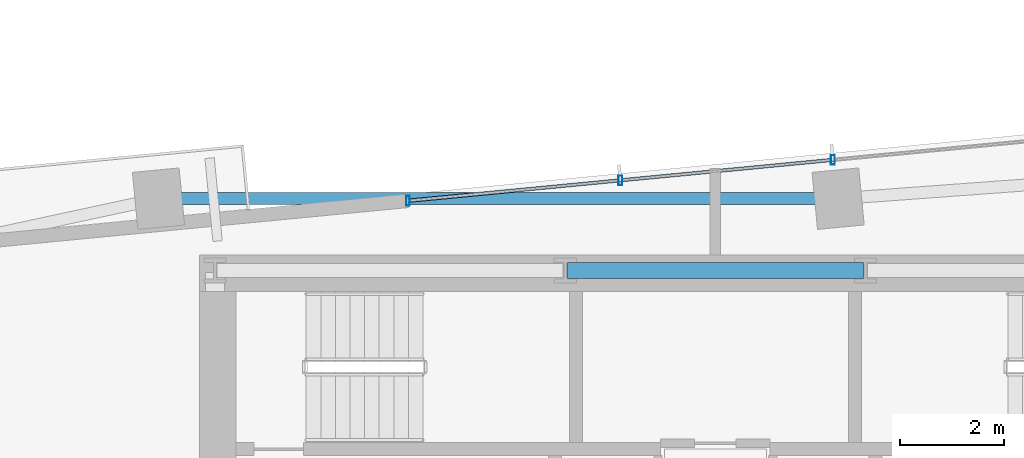
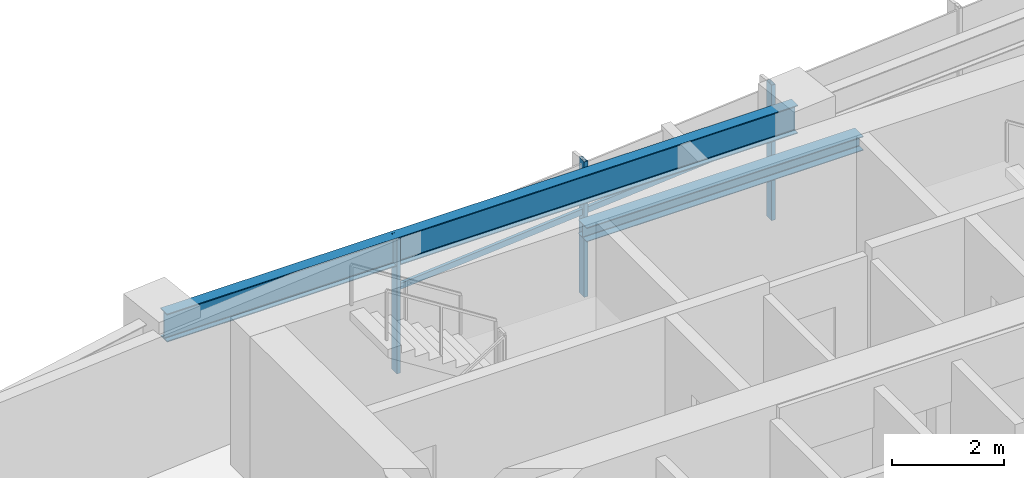
# One storey, part 10 of 27: 5 members, 2 beams, 1 element without a shape of its own.
"""IFC4 building model written with IfcOpenShell, lengths in metres."""

from ifc_helpers import new_model, si_unit, direction, frame, origin, origin_2d, place, context, subcontext, project, spatial, hollow_rectangle, i_section, extrude, source, transform, mapped, material, material_profile, profile_set, type_object, type_shapes, element, aggregate, save


model = new_model("IFC4")

# Units and contexts
model_context = context("Model", 3, precision=1e-05, world=origin(), true_north=direction((0.0, 1.0)))
body_context = subcontext(model_context, "Body", "Model", "MODEL_VIEW")
ifc_project = project(units=[si_unit("LENGTHUNIT", "METRE"), si_unit("AREAUNIT", "SQUARE_METRE"), si_unit("VOLUMEUNIT", "CUBIC_METRE"), si_unit("PLANEANGLEUNIT", "RADIAN"), si_unit("MASSUNIT", "GRAM", prefix="KILO")], contexts=[model_context])

# Site, building, storey
site_placement = place(None, origin())
site = spatial("IfcSite", under=ifc_project, at=site_placement, CompositionType="ELEMENT")
building_placement = place(site_placement, origin())
building = spatial("IfcBuilding", under=site, at=building_placement, Name="Astriad Promenade Condominiums", CompositionType="ELEMENT")
storey_placement = place(building_placement, frame((0.0, 0.0, 93.800048828125)))
storey = spatial("IfcBuildingStorey", under=building, at=storey_placement, Name="L26", CompositionType="ELEMENT", Elevation=93.800048828125)

# Beams
ifc_material_1 = material(Name="Steel ASTM A992 Grade 50", Category="steel")
ifc_material_profile_1 = material_profile(ifc_material_1, i_section(OverallWidth=0.3046875, OverallDepth=0.307861328125, WebThickness=0.010009765625, FlangeThickness=0.015380859375, FilletRadius=0.01513671875, at=origin_2d()), Name="W12X65")
ifc_profile_set_1 = profile_set([ifc_material_profile_1], Name="Steel ASTM A992 Grade 50")
beam_type_1 = type_object("IfcBeamType", Name="STEEL OPENING LINTEL W12X65", PredefinedType="LINTEL", material=ifc_profile_set_1)
shared_shape_1 = source(origin(), body_context, "Body", "SweptSolid", [
    extrude(i_section(OverallWidth=0.3046875, OverallDepth=0.307861328125, WebThickness=0.010009765625, FlangeThickness=0.015380859375, FilletRadius=0.01513671875, at=origin_2d()), origin(), (0.0, 0.0, 1.0), 5.68017578125),
])
type_shapes(beam_type_1, [shared_shape_1])
beam_1_placement = place(storey_placement, frame((33.159912109375, 24.0, 2.7861328125), z_axis=(1.0, 0.0, 0.0), x_axis=(0.0, 1.0, 0.0)))
element("IfcBeam", 1, at=beam_1_placement, inside=storey, type_object=beam_type_1, Name="Core Ring Beam CG-N2-L26", PredefinedType="LINTEL", context=body_context, shape_type="MappedRepresentation", body=[
    mapped(shared_shape_1, transform((0.0, 0.0, 0.0), scale=1.0)),
])
ifc_material_profile_2 = material_profile(ifc_material_1, i_section(OverallWidth=0.22900390625, OverallDepth=0.612060546875, WebThickness=0.011962890625, FlangeThickness=0.01953125, FilletRadius=0.017822265625, at=origin_2d()), Name="W24X84")
ifc_profile_set_2 = profile_set([ifc_material_profile_2], Name="Steel ASTM A992 Grade 50")
beam_type_2 = type_object("IfcBeamType", Name="STEEL SPANDREL BEAM W24X84", PredefinedType="SPANDREL", material=ifc_profile_set_2)
shared_shape_2 = source(origin(), body_context, "Body", "SweptSolid", [
    extrude(i_section(OverallWidth=0.22900390625, OverallDepth=0.612060546875, WebThickness=0.011962890625, FlangeThickness=0.01953125, FilletRadius=0.017822265625, at=origin_2d()), origin(), (0.0, 0.0, 1.0), 12.959716796875),
])
type_shapes(beam_type_2, [shared_shape_2])
beam_2_placement = place(storey_placement, frame((38.314697265625, 25.3798828125, 2.6337890625), z_axis=(-1.0, 0.0, 0.0), x_axis=(0.0, -1.0, 0.0)))
element("IfcBeam", 2, at=beam_2_placement, inside=storey, type_object=beam_type_2, Name="Perimeter Spandrel Beam SP-N2-L26", PredefinedType="SPANDREL", context=body_context, shape_type="MappedRepresentation", body=[
    mapped(shared_shape_2, transform((0.0, 0.0, 0.0), scale=1.0)),
])

# Curtain wall, members
ifc_material_2 = material(Name="Anodised aluminium Black Dark Glass Unitised", Category="aluminium")
curtain_wall_type = type_object("IfcCurtainWallType", Name="CW-B2-DARK", PredefinedType="USERDEFINED", material=ifc_material_2)
curtain_wall_placement = place(storey_placement, origin())
curtain_wall = element("IfcCurtainWall", 3, at=curtain_wall_placement, inside=storey, type_object=curtain_wall_type, Name="CW-L26-N", ObjectType="UNITISED_CURTAIN_WALL", PredefinedType="USERDEFINED")
ifc_material_3 = material(Name="Anodised aluminium 6063-T6 Black", Category="aluminium")
ifc_material_profile_3 = material_profile(ifc_material_3, hollow_rectangle(XDim=0.074951171875, YDim=0.18505859375, WallThickness=0.00439453125, at=origin_2d()), Name="ALU-MUL-75X185")
ifc_profile_set_3 = profile_set([ifc_material_profile_3], Name="Anodised aluminium 6063-T6 Black")
member_type_1 = type_object("IfcMemberType", Name="MUL-ALU-MUL-75X185", PredefinedType="MULLION", material=ifc_profile_set_3)
shared_shape_3 = source(origin(), body_context, "Body", "SweptSolid", [
    extrude(hollow_rectangle(XDim=0.074951171875, YDim=0.18505859375, WallThickness=0.00439453125, at=origin_2d()), origin(), (0.0, 0.0, 1.0), 2.93994140625),
])
type_shapes(member_type_1, [shared_shape_3])
member_1_placement = place(storey_placement, frame((30.101806640625, 25.339599609375, 0.0), z_axis=(0.0, 0.0, 1.0), x_axis=(1.0, 0.0, 0.0)))
member_1 = element("IfcMember", 4, at=member_1_placement, type_object=member_type_1, Name="CW-L26-N-MUL-00", PredefinedType="MULLION", context=body_context, shape_type="MappedRepresentation", body=[
    mapped(shared_shape_3, transform((0.0, 0.0, 0.0), scale=1.0)),
])
member_2_placement = place(storey_placement, frame((34.177734375, 25.732177734375, 0.0), z_axis=(0.0, 0.0, 1.0), x_axis=(1.0, 0.0, 0.0)))
member_2 = element("IfcMember", 5, at=member_2_placement, type_object=member_type_1, Name="CW-L26-N-MUL-01", PredefinedType="MULLION", context=body_context, shape_type="MappedRepresentation", body=[
    mapped(shared_shape_3, transform((0.0, 0.0, 0.0), scale=1.0)),
])
member_3_placement = place(storey_placement, frame((38.25390625, 26.12451171875, 0.0), z_axis=(0.0, 0.0, 1.0), x_axis=(1.0, 0.0, 0.0)))
member_3 = element("IfcMember", 6, at=member_3_placement, type_object=member_type_1, Name="CW-L26-N-MUL-02", PredefinedType="MULLION", context=body_context, shape_type="MappedRepresentation", body=[
    mapped(shared_shape_3, transform((0.0, 0.0, 0.0), scale=1.0)),
])
ifc_material_profile_4 = material_profile(ifc_material_3, hollow_rectangle(XDim=0.06494140625, YDim=0.1298828125, WallThickness=0.00390625, at=origin_2d()), Name="ALU-TRN-65X130")
ifc_profile_set_4 = profile_set([ifc_material_profile_4], Name="Anodised aluminium 6063-T6 Black")
member_type_2 = type_object("IfcMemberType", Name="TRN-ALU-TRN-65X130", PredefinedType="USERDEFINED", material=ifc_profile_set_4)
shared_shape_4 = source(origin(), body_context, "Body", "SweptSolid", [
    extrude(hollow_rectangle(XDim=0.06494140625, YDim=0.1298828125, WallThickness=0.00390625, at=origin_2d()), origin(), (0.0, 0.0, 1.0), 4.0947265625),
])
member_4_placement = place(storey_placement, frame((30.101806640625, 25.339599609375, 1.82275390625), z_axis=(0.995393613612, 0.095872592434, 0.0), x_axis=(-0.095872592434, 0.995393613612, 0.0)))
member_4 = element("IfcMember", 7, at=member_4_placement, type_object=member_type_2, Name="CW-L26-N-TRN-00-0", ObjectType="TRANSOM", PredefinedType="USERDEFINED", context=body_context, shape_type="MappedRepresentation", body=[
    mapped(shared_shape_4, transform((0.0, 0.0, 0.0), scale=1.0)),
])
shared_shape_5 = source(origin(), body_context, "Body", "SweptSolid", [
    extrude(hollow_rectangle(XDim=0.06494140625, YDim=0.1298828125, WallThickness=0.00390625, at=origin_2d()), origin(), (0.0, 0.0, 1.0), 4.094970703125),
])
type_shapes(member_type_2, [shared_shape_4, shared_shape_5])
member_5_placement = place(storey_placement, frame((34.177734375, 25.732177734375, 1.82275390625), z_axis=(0.995399849002, 0.095807831657, 0.0), x_axis=(-0.095807831657, 0.995399849002, 0.0)))
member_5 = element("IfcMember", 8, at=member_5_placement, type_object=member_type_2, Name="CW-L26-N-TRN-01-0", ObjectType="TRANSOM", PredefinedType="USERDEFINED", context=body_context, shape_type="MappedRepresentation", body=[
    mapped(shared_shape_5, transform((0.0, 0.0, 0.0), scale=1.0)),
])
aggregate(curtain_wall, [member_1, member_2, member_3, member_4, member_5])

save(model, "model.ifc")
